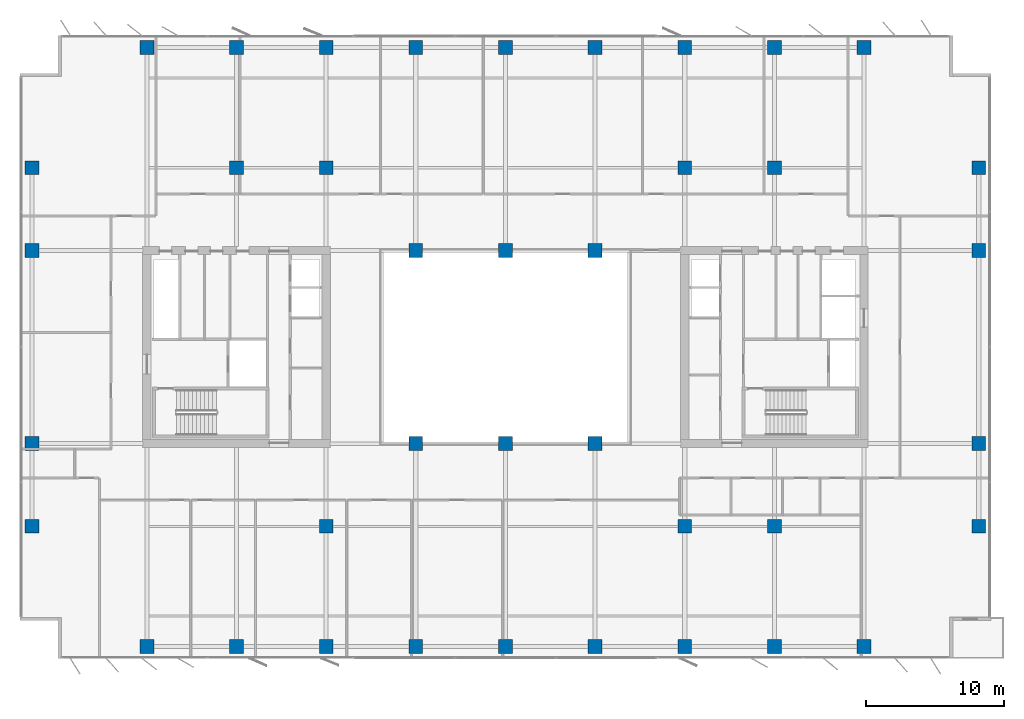
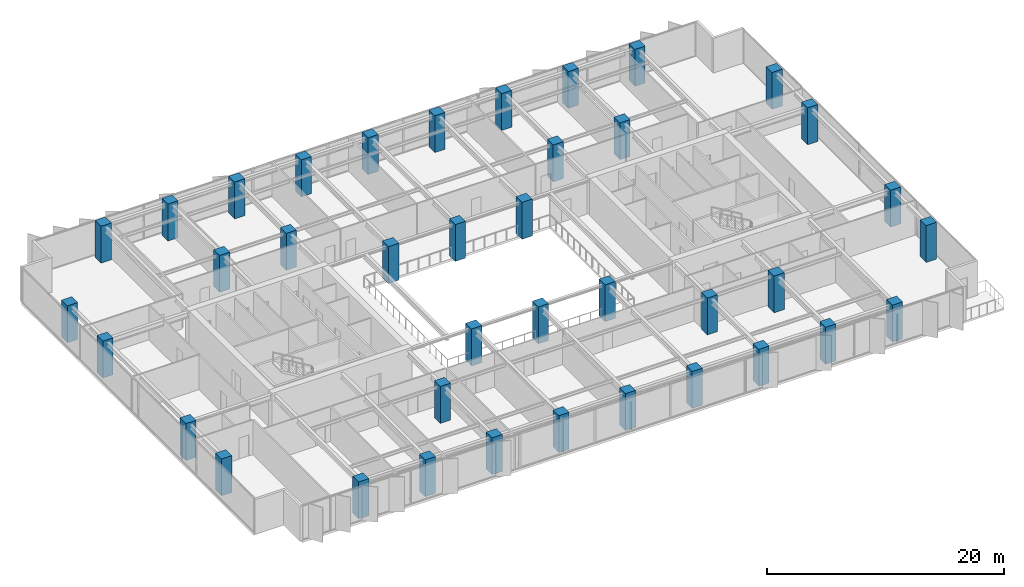
# One storey, part 1 of 22: 39 columns.
"""IFC4 building model written with IfcOpenShell, lengths in metres."""

from ifc_helpers import new_model, si_unit, direction, frame, origin, origin_2d, place, context, subcontext, project, spatial, rectangle, extrude, material, material_profile, profile_set, type_object, element, save


model = new_model("IFC4")

# Units and contexts
model_context = context("Model", 3, precision=1e-05, world=origin(), true_north=direction((0.0, 1.0)))
body_context = subcontext(model_context, "Body", "Model", "MODEL_VIEW")
ifc_project = project(units=[si_unit("LENGTHUNIT", "METRE"), si_unit("AREAUNIT", "SQUARE_METRE"), si_unit("VOLUMEUNIT", "CUBIC_METRE"), si_unit("PLANEANGLEUNIT", "RADIAN"), si_unit("MASSUNIT", "GRAM", prefix="KILO")], contexts=[model_context])

# Site, building, storey
site_placement = place(None, origin())
site = spatial("IfcSite", under=ifc_project, at=site_placement, CompositionType="ELEMENT")
building_placement = place(site_placement, origin())
building = spatial("IfcBuilding", under=site, at=building_placement, Name="Putna Gate Headquarters", CompositionType="ELEMENT")
storey_placement = place(building_placement, frame((0.0, 0.0, 174.60009765625)))
storey = spatial("IfcBuildingStorey", under=building, at=storey_placement, Name="L43", CompositionType="ELEMENT", Elevation=174.60009765625)

# Columns
ifc_material = material(Name="Concrete C50/60", Category="concrete")
ifc_material_profile_1 = material_profile(ifc_material, rectangle(XDim=1.0, YDim=1.0, at=origin_2d()), Name="Concrete C50/60")
ifc_profile_set_1 = profile_set([ifc_material_profile_1], Name="Concrete C50/60")
column_type_1 = type_object("IfcColumnType", Name="COL-RC1000-EXT", PredefinedType="COLUMN", material=ifc_profile_set_1)
for number, where, z_axis, x_axis, name in (
    (1, (13.0, 4.280029296875, 0.0), (0.0, 0.0, 1.0), (1.0, 0.0, 0.0), "L43 Column CP-S13"),
    (2, (13.0, 47.719970703125, 0.0), (0.0, 0.0, 1.0), (1.0, 0.0, 0.0), "L43 Column CP-N13"),
    (3, (19.5, 4.280029296875, 0.0), (0.0, 0.0, 1.0), (1.0, 0.0, 0.0), "L43 Column CP-S19"),
    (4, (19.5, 47.719970703125, 0.0), (0.0, 0.0, 1.0), (1.0, 0.0, 0.0), "L43 Column CP-N19"),
    (5, (26.0, 4.280029296875, 0.0), (0.0, 0.0, 1.0), (1.0, 0.0, 0.0), "L43 Column CP-S26"),
    (6, (26.0, 47.719970703125, 0.0), (0.0, 0.0, 1.0), (1.0, 0.0, 0.0), "L43 Column CP-N26"),
    (7, (32.5, 4.280029296875, 0.0), (0.0, 0.0, 1.0), (1.0, 0.0, 0.0), "L43 Column CP-S32"),
    (8, (32.5, 47.719970703125, 0.0), (0.0, 0.0, 1.0), (1.0, 0.0, 0.0), "L43 Column CP-N32"),
    (9, (39.0, 4.280029296875, 0.0), (0.0, 0.0, 1.0), (1.0, 0.0, 0.0), "L43 Column CP-S39"),
    (10, (39.0, 47.719970703125, 0.0), (0.0, 0.0, 1.0), (1.0, 0.0, 0.0), "L43 Column CP-N39"),
    (11, (45.5, 4.280029296875, 0.0), (0.0, 0.0, 1.0), (1.0, 0.0, 0.0), "L43 Column CP-S45"),
    (12, (45.5, 47.719970703125, 0.0), (0.0, 0.0, 1.0), (1.0, 0.0, 0.0), "L43 Column CP-N45"),
    (13, (52.0, 4.280029296875, 0.0), (0.0, 0.0, 1.0), (1.0, 0.0, 0.0), "L43 Column CP-S52"),
    (14, (52.0, 47.719970703125, 0.0), (0.0, 0.0, 1.0), (1.0, 0.0, 0.0), "L43 Column CP-N52"),
    (15, (58.5, 4.280029296875, 0.0), (0.0, 0.0, 1.0), (1.0, 0.0, 0.0), "L43 Column CP-S58"),
    (16, (58.5, 47.719970703125, 0.0), (0.0, 0.0, 1.0), (1.0, 0.0, 0.0), "L43 Column CP-N58"),
    (17, (65.0, 4.280029296875, 0.0), (0.0, 0.0, 1.0), (1.0, 0.0, 0.0), "L43 Column CP-S65"),
    (18, (65.0, 47.719970703125, 0.0), (0.0, 0.0, 1.0), (1.0, 0.0, 0.0), "L43 Column CP-N65"),
    (19, (4.679931640625, 13.0, 0.0), (0.0, 0.0, 1.0), (1.0, 0.0, 0.0), "L43 Column CP-W13"),
    (20, (73.320068359375, 13.0, 0.0), (0.0, 0.0, 1.0), (1.0, 0.0, 0.0), "L43 Column CP-E13"),
    (21, (4.679931640625, 19.0, 0.0), (0.0, 0.0, 1.0), (1.0, 0.0, 0.0), "L43 Column CP-W19"),
    (22, (73.320068359375, 19.0, 0.0), (0.0, 0.0, 1.0), (1.0, 0.0, 0.0), "L43 Column CP-E19"),
    (23, (4.679931640625, 33.0, 0.0), (0.0, 0.0, 1.0), (1.0, 0.0, 0.0), "L43 Column CP-W33"),
    (24, (73.320068359375, 33.0, 0.0), (0.0, 0.0, 1.0), (1.0, 0.0, 0.0), "L43 Column CP-E33"),
    (25, (4.679931640625, 39.0, 0.0), (0.0, 0.0, 1.0), (1.0, 0.0, 0.0), "L43 Column CP-W39"),
    (26, (73.320068359375, 39.0, 0.0), (0.0, 0.0, 1.0), (1.0, 0.0, 0.0), "L43 Column CP-E39"),
):
    element("IfcColumn", number, at=place(storey_placement, frame(where, z_axis=z_axis, x_axis=x_axis)), inside=storey, type_object=column_type_1, Name=name, PredefinedType="COLUMN", context=body_context, shape_type="SweptSolid", body=[
        extrude(rectangle(XDim=1.0, YDim=1.0, at=origin_2d()), origin(), (0.0, 0.0, 1.0), 3.7998046875),
    ])
ifc_material_profile_2 = material_profile(ifc_material, rectangle(XDim=1.0, YDim=1.0, at=origin_2d()), Name="Concrete C50/60")
ifc_profile_set_2 = profile_set([ifc_material_profile_2], Name="Concrete C50/60")
column_type_2 = type_object("IfcColumnType", Name="COL-RC1000-INT", PredefinedType="COLUMN", material=ifc_profile_set_2)
for number, where, z_axis, x_axis, name in (
    (27, (19.5, 39.0, 0.0), (0.0, 0.0, 1.0), (1.0, 0.0, 0.0), "L43 Column CSI-WN"),
    (28, (58.5, 13.0, 0.0), (0.0, 0.0, 1.0), (1.0, 0.0, 0.0), "L43 Column CSI-ES"),
    (29, (58.5, 39.0, 0.0), (0.0, 0.0, 1.0), (1.0, 0.0, 0.0), "L43 Column CSI-EN"),
    (30, (32.5, 19.0, 0.0), (0.0, 0.0, 1.0), (1.0, 0.0, 0.0), "L43 Column CAI-S32"),
    (31, (32.5, 33.0, 0.0), (0.0, 0.0, 1.0), (1.0, 0.0, 0.0), "L43 Column CAI-N32"),
    (32, (39.0, 19.0, 0.0), (0.0, 0.0, 1.0), (1.0, 0.0, 0.0), "L43 Column CAI-S39"),
    (33, (39.0, 33.0, 0.0), (0.0, 0.0, 1.0), (1.0, 0.0, 0.0), "L43 Column CAI-N39"),
    (34, (45.5, 19.0, 0.0), (0.0, 0.0, 1.0), (1.0, 0.0, 0.0), "L43 Column CAI-S45"),
    (35, (45.5, 33.0, 0.0), (0.0, 0.0, 1.0), (1.0, 0.0, 0.0), "L43 Column CAI-N45"),
    (36, (26.0, 13.0, 0.0), (0.0, 0.0, 1.0), (1.0, 0.0, 0.0), "L43 Column CAP-WS"),
    (37, (26.0, 39.0, 0.0), (0.0, 0.0, 1.0), (1.0, 0.0, 0.0), "L43 Column CAP-WN"),
    (38, (52.0, 13.0, 0.0), (0.0, 0.0, 1.0), (1.0, 0.0, 0.0), "L43 Column CAP-ES"),
    (39, (52.0, 39.0, 0.0), (0.0, 0.0, 1.0), (1.0, 0.0, 0.0), "L43 Column CAP-EN"),
):
    element("IfcColumn", number, at=place(storey_placement, frame(where, z_axis=z_axis, x_axis=x_axis)), inside=storey, type_object=column_type_2, Name=name, PredefinedType="COLUMN", context=body_context, shape_type="SweptSolid", body=[
        extrude(rectangle(XDim=1.0, YDim=1.0, at=origin_2d()), origin(), (0.0, 0.0, 1.0), 3.7998046875),
    ])

save(model, "model.ifc")
